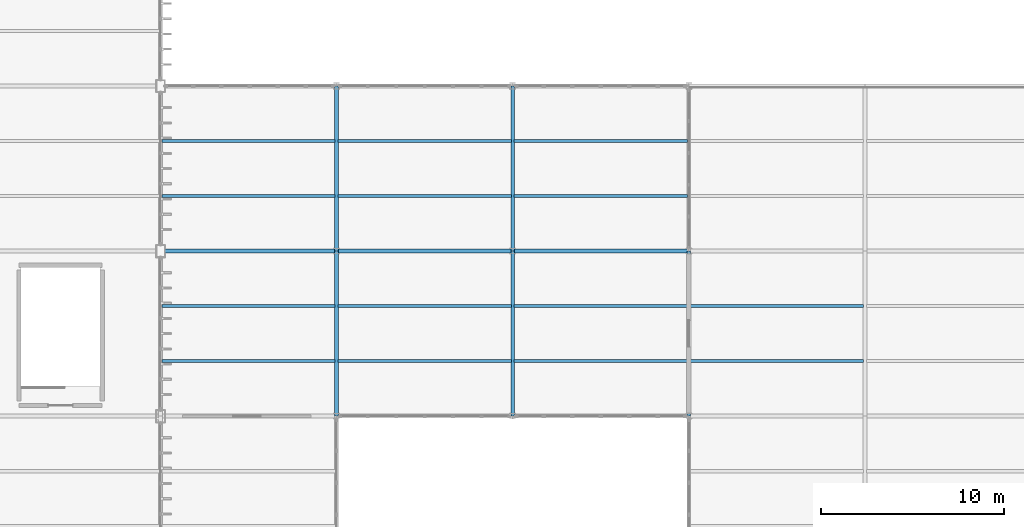
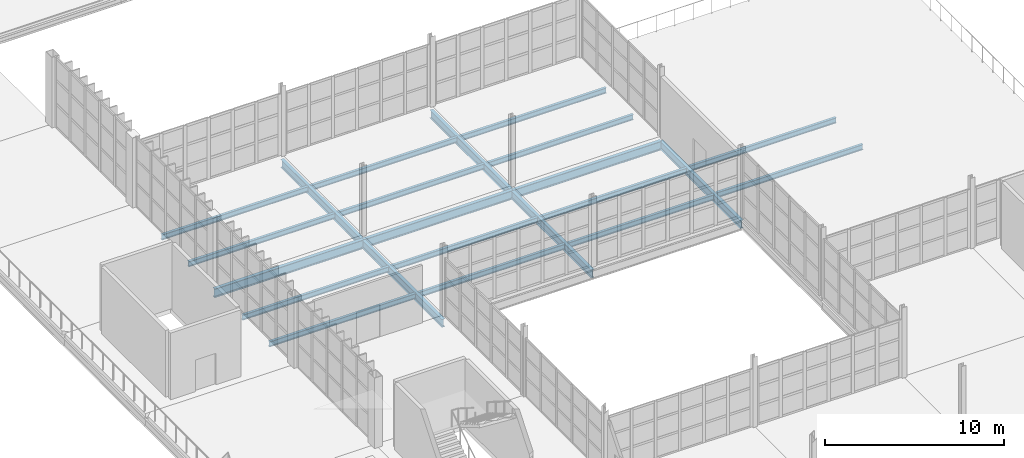
# One storey, part 68 of 120: 22 beams.
"""IFC4 building model written with IfcOpenShell, lengths in metres."""

from ifc_helpers import new_model, si_unit, direction, frame, origin, origin_2d, place, context, subcontext, project, spatial, i_section, extrude, material, material_profile, profile_set, type_object, element, save


model = new_model("IFC4")

# Units and contexts
model_context = context("Model", 3, precision=1e-05, world=origin(), true_north=direction((0.0, 1.0)))
body_context = subcontext(model_context, "Body", "Model", "MODEL_VIEW")
ifc_project = project(units=[si_unit("LENGTHUNIT", "METRE"), si_unit("AREAUNIT", "SQUARE_METRE"), si_unit("VOLUMEUNIT", "CUBIC_METRE"), si_unit("PLANEANGLEUNIT", "RADIAN"), si_unit("MASSUNIT", "GRAM", prefix="KILO")], contexts=[model_context])

# Site, building, storey
site_placement = place(None, origin())
site = spatial("IfcSite", under=ifc_project, at=site_placement, CompositionType="ELEMENT")
building_placement = place(site_placement, origin())
building = spatial("IfcBuilding", under=site, at=building_placement, Name="Zarnetskaya Central Station", CompositionType="ELEMENT")
storey_placement = place(building_placement, frame((0.0, 0.0, 5.39990234375)))
storey = spatial("IfcBuildingStorey", under=building, at=storey_placement, Name="L01", CompositionType="ELEMENT", Elevation=5.39990234375)

# Beams
ifc_material = material(Name="Steel S355", Category="steel")
ifc_material_profile_1 = material_profile(ifc_material, i_section(OverallWidth=0.169921875, OverallDepth=0.360107421875, WebThickness=0.008056640625, FlangeThickness=0.0126953125, FilletRadius=0.01806640625, at=origin_2d()), Name="IPE 360")
ifc_profile_set_1 = profile_set([ifc_material_profile_1], Name="Steel S355")
beam_type_1 = type_object("IfcBeamType", Name="BM-SEC-360", PredefinedType="BEAM", material=ifc_profile_set_1)
for number, where, z_axis, x_axis, name in (
    (1, (124.8798828125, 34.199951171875, -0.4599609375), (1.0, 0.0, 0.0), (0.0, 1.0, 0.0), "Secondary floor beam SEC-L01-Z512-PQ-56-1"),
    (2, (124.8798828125, 37.199951171875, -0.4599609375), (1.0, 0.0, 0.0), (0.0, 1.0, 0.0), "Secondary floor beam SEC-L01-Z512-PQ-56-2"),
    (3, (124.8798828125, 43.199951171875, -0.4599609375), (1.0, 0.0, 0.0), (0.0, 1.0, 0.0), "Secondary floor beam SEC-L01-Z512-PQ-67-1"),
    (4, (124.8798828125, 46.199951171875, -0.4599609375), (1.0, 0.0, 0.0), (0.0, 1.0, 0.0), "Secondary floor beam SEC-L01-Z512-PQ-67-2"),
):
    element("IfcBeam", number, at=place(storey_placement, frame(where, z_axis=z_axis, x_axis=x_axis)), inside=storey, type_object=beam_type_1, Name=name, PredefinedType="BEAM", context=body_context, shape_type="SweptSolid", body=[
        extrude(i_section(OverallWidth=0.169921875, OverallDepth=0.360107421875, WebThickness=0.008056640625, FlangeThickness=0.0126953125, FilletRadius=0.01806640625, at=origin_2d()), origin(), (0.0, 0.0, 1.0), 9.440185546875),
    ])
for number, where, z_axis, x_axis, name in (
    (5, (134.47998046875, 34.199951171875, -0.4599609375), (1.0, 0.0, 0.0), (0.0, 1.0, 0.0), "Secondary floor beam SEC-L01-Z512-QR-56-1"),
    (6, (134.47998046875, 37.199951171875, -0.4599609375), (1.0, 0.0, 0.0), (0.0, 1.0, 0.0), "Secondary floor beam SEC-L01-Z512-QR-56-2"),
    (7, (134.47998046875, 43.199951171875, -0.4599609375), (1.0, 0.0, 0.0), (0.0, 1.0, 0.0), "Secondary floor beam SEC-L01-Z512-QR-67-1"),
    (8, (134.47998046875, 46.199951171875, -0.4599609375), (1.0, 0.0, 0.0), (0.0, 1.0, 0.0), "Secondary floor beam SEC-L01-Z512-QR-67-2"),
    (9, (144.080078125, 34.199951171875, -0.4599609375), (1.0, 0.0, 0.0), (0.0, 1.0, 0.0), "Secondary floor beam SEC-L01-Z512-RS-56-1"),
    (10, (144.080078125, 37.199951171875, -0.4599609375), (1.0, 0.0, 0.0), (0.0, 1.0, 0.0), "Secondary floor beam SEC-L01-Z512-RS-56-2"),
    (11, (144.080078125, 43.199951171875, -0.4599609375), (1.0, 0.0, 0.0), (0.0, 1.0, 0.0), "Secondary floor beam SEC-L01-Z512-RS-67-1"),
    (12, (144.080078125, 46.199951171875, -0.4599609375), (1.0, 0.0, 0.0), (0.0, 1.0, 0.0), "Secondary floor beam SEC-L01-Z512-RS-67-2"),
):
    element("IfcBeam", number, at=place(storey_placement, frame(where, z_axis=z_axis, x_axis=x_axis)), inside=storey, type_object=beam_type_1, Name=name, PredefinedType="BEAM", context=body_context, shape_type="SweptSolid", body=[
        extrude(i_section(OverallWidth=0.169921875, OverallDepth=0.360107421875, WebThickness=0.008056640625, FlangeThickness=0.0126953125, FilletRadius=0.01806640625, at=origin_2d()), origin(), (0.0, 0.0, 1.0), 9.43994140625),
    ])
for number, where, z_axis, x_axis, name in (
    (13, (153.679931640625, 34.199951171875, -0.39990234375), (1.0, 0.0, 0.0), (0.0, 1.0, 0.0), "Secondary floor beam SEC-L01-Z518-ST-56-1"),
    (14, (153.679931640625, 37.199951171875, -0.39990234375), (1.0, 0.0, 0.0), (0.0, 1.0, 0.0), "Secondary floor beam SEC-L01-Z518-ST-56-2"),
):
    element("IfcBeam", number, at=place(storey_placement, frame(where, z_axis=z_axis, x_axis=x_axis)), inside=storey, type_object=beam_type_1, Name=name, PredefinedType="BEAM", context=body_context, shape_type="SweptSolid", body=[
        extrude(i_section(OverallWidth=0.169921875, OverallDepth=0.360107421875, WebThickness=0.008056640625, FlangeThickness=0.0126953125, FilletRadius=0.01806640625, at=origin_2d()), origin(), (0.0, 0.0, 1.0), 9.440185546875),
    ])
ifc_material_profile_2 = material_profile(ifc_material, i_section(OverallWidth=0.2099609375, OverallDepth=0.550048828125, WebThickness=0.010986328125, FlangeThickness=0.01708984375, FilletRadius=0.02392578125, at=origin_2d()), Name="IPE 550")
ifc_profile_set_2 = profile_set([ifc_material_profile_2], Name="Steel S355")
beam_type_2 = type_object("IfcBeamType", Name="GD-FLR-550", PredefinedType="USERDEFINED", material=ifc_profile_set_2)
for number, where, z_axis, x_axis, name in (
    (15, (134.39990234375, 31.199951171875, -0.554931640625), (0.0, 1.0, 0.0), (-1.0, 0.0, 0.0), "Grid girder GY-L01-Q-56"),
    (16, (134.39990234375, 40.199951171875, -0.554931640625), (0.0, 1.0, 0.0), (-1.0, 0.0, 0.0), "Grid girder GY-L01-Q-67"),
    (17, (144.0, 31.199951171875, -0.554931640625), (0.0, 1.0, 0.0), (-1.0, 0.0, 0.0), "Grid girder GY-L01-R-56"),
    (18, (144.0, 40.199951171875, -0.554931640625), (0.0, 1.0, 0.0), (-1.0, 0.0, 0.0), "Grid girder GY-L01-R-67"),
    (19, (153.60009765625, 31.199951171875, -0.554931640625), (0.0, 1.0, 0.0), (-1.0, 0.0, 0.0), "Grid girder GY-L01-S-56"),
):
    element("IfcBeam", number, at=place(storey_placement, frame(where, z_axis=z_axis, x_axis=x_axis)), inside=storey, type_object=beam_type_2, Name=name, ObjectType="GIRDER", PredefinedType="USERDEFINED", context=body_context, shape_type="SweptSolid", body=[
        extrude(i_section(OverallWidth=0.2099609375, OverallDepth=0.550048828125, WebThickness=0.010986328125, FlangeThickness=0.01708984375, FilletRadius=0.02392578125, at=origin_2d()), origin(), (0.0, 0.0, 1.0), 9.0),
    ])
ifc_material_profile_3 = material_profile(ifc_material, i_section(OverallWidth=0.219970703125, OverallDepth=0.60009765625, WebThickness=0.011962890625, FlangeThickness=0.01904296875, FilletRadius=0.02392578125, at=origin_2d()), Name="IPE 600")
ifc_profile_set_3 = profile_set([ifc_material_profile_3], Name="Steel S355")
beam_type_3 = type_object("IfcBeamType", Name="GD-FLR-600", PredefinedType="USERDEFINED", material=ifc_profile_set_3)
beam_placement = place(storey_placement, frame((124.800048828125, 40.199951171875, -0.579833984375), z_axis=(1.0, 0.0, 0.0), x_axis=(0.0, 1.0, 0.0)))
element("IfcBeam", 20, at=beam_placement, inside=storey, type_object=beam_type_3, Name="Grid girder GX-L01-6-PQ", ObjectType="GIRDER", PredefinedType="USERDEFINED", context=body_context, shape_type="SweptSolid", body=[
    extrude(i_section(OverallWidth=0.219970703125, OverallDepth=0.60009765625, WebThickness=0.011962890625, FlangeThickness=0.01904296875, FilletRadius=0.02392578125, at=origin_2d()), origin(), (0.0, 0.0, 1.0), 9.599853515625),
])
for number, where, z_axis, x_axis, name in (
    (21, (134.39990234375, 40.199951171875, -0.579833984375), (1.0, 0.0, 0.0), (0.0, 1.0, 0.0), "Grid girder GX-L01-6-QR"),
    (22, (144.0, 40.199951171875, -0.579833984375), (1.0, 0.0, 0.0), (0.0, 1.0, 0.0), "Grid girder GX-L01-6-RS"),
):
    element("IfcBeam", number, at=place(storey_placement, frame(where, z_axis=z_axis, x_axis=x_axis)), inside=storey, type_object=beam_type_3, Name=name, ObjectType="GIRDER", PredefinedType="USERDEFINED", context=body_context, shape_type="SweptSolid", body=[
        extrude(i_section(OverallWidth=0.219970703125, OverallDepth=0.60009765625, WebThickness=0.011962890625, FlangeThickness=0.01904296875, FilletRadius=0.02392578125, at=origin_2d()), origin(), (0.0, 0.0, 1.0), 9.60009765625),
    ])

save(model, "model.ifc")
